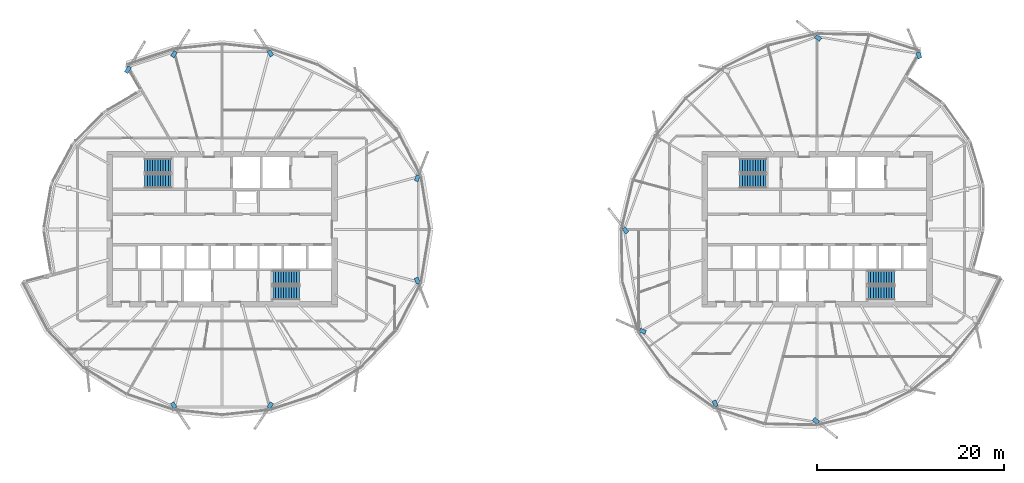
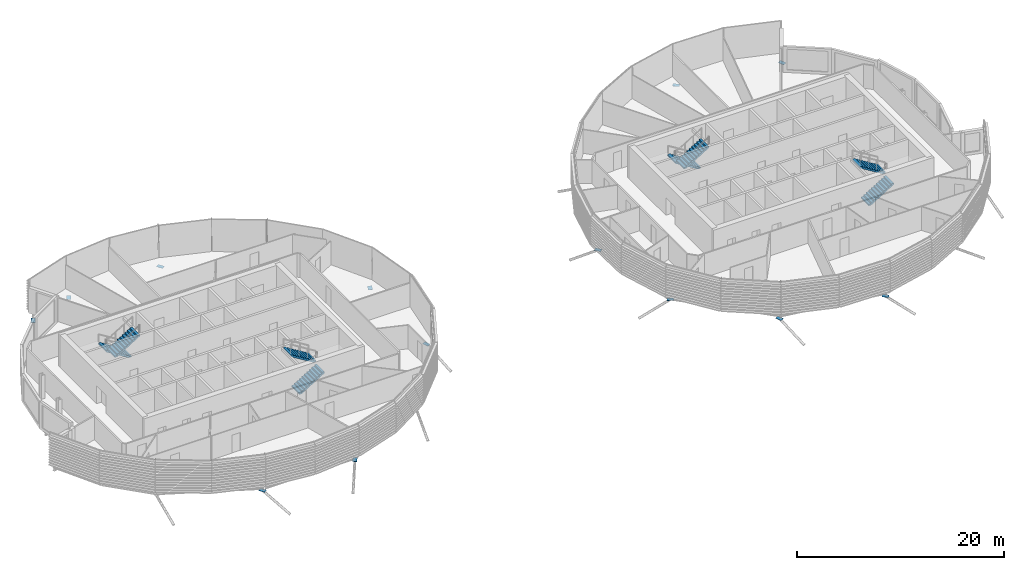
# One storey, part 24 of 37: 13 discrete accessories, 8 stair flights, 4 elements without a shape of their own.
"""IFC4 building model written with IfcOpenShell, lengths in metres."""

from ifc_helpers import new_model, si_unit, direction, frame, origin, origin_2d, place, context, subcontext, project, spatial, polyline, rectangle, outline, extrude, material, material_profile, profile_set, type_object, element, aggregate, save


model = new_model("IFC4")

# Units and contexts
model_context = context("Model", 3, precision=1e-05, world=origin(), true_north=direction((0.0, 1.0)))
body_context = subcontext(model_context, "Body", "Model", "MODEL_VIEW")
ifc_project = project(units=[si_unit("LENGTHUNIT", "METRE"), si_unit("AREAUNIT", "SQUARE_METRE"), si_unit("VOLUMEUNIT", "CUBIC_METRE"), si_unit("PLANEANGLEUNIT", "RADIAN"), si_unit("MASSUNIT", "GRAM", prefix="KILO")], contexts=[model_context])

# Site, building, storey
site_placement = place(None, origin())
site = spatial("IfcSite", under=ifc_project, at=site_placement, CompositionType="ELEMENT")
building_placement = place(site_placement, origin())
building = spatial("IfcBuilding", under=site, at=building_placement, Name="Rimbun Link Towers", CompositionType="ELEMENT")
storey_placement = place(building_placement, frame((0.0, 0.0, 177.89990234375)))
storey = spatial("IfcBuildingStorey", under=building, at=storey_placement, Name="L43", CompositionType="ELEMENT", Elevation=177.89990234375)

# Stair, stair flights
ifc_material_1 = material(Name="Concrete C40/50", Category="concrete")
stair_type = type_object("IfcStairType", Name="Exit stair 3800 rise", PredefinedType="HALF_TURN_STAIR", material=ifc_material_1)
stair_1_placement = place(storey_placement, origin())
stair_1 = element("IfcStair", 1, at=stair_1_placement, inside=storey, type_object=stair_type, Name="L43 EXIT STAIR A", PredefinedType="HALF_TURN_STAIR")
ifc_material_2 = material(Name="Concrete C40/50", Category="concrete")
stair_flight_type = type_object("IfcStairFlightType", Name="Exit stair flight 3800 rise", PredefinedType="STRAIGHT", material=ifc_material_2)
stair_flight_1_placement = place(storey_placement, frame((-37.199951171875, 6.800048828125, 0.0), z_axis=(0.0, 0.0, 1.0), x_axis=(-1.0, 0.0, 0.0)))
stair_flight_1 = element("IfcStairFlight", 2, at=stair_flight_1_placement, type_object=stair_flight_type, Name="ST1 flight 1", NumberOfRisers=11, NumberOfTreads=10, PredefinedType="STRAIGHT", RiserHeight=0.172727273, TreadLength=0.28, context=body_context, shape_type="SweptSolid", body=[
    extrude(outline(polyline([(0.0, 0.0), (0.0, 0.172607421875), (0.280029296875, 0.172607421875), (0.280029296875, 0.345458984375), (0.56005859375, 0.345458984375), (0.56005859375, 0.51806640625), (0.840087890625, 0.51806640625), (0.840087890625, 0.69091796875), (1.1201171875, 0.69091796875), (1.1201171875, 0.863525390625), (1.39990234375, 0.863525390625), (1.39990234375, 1.036376953125), (1.679931640625, 1.036376953125), (1.679931640625, 1.208984375), (1.9599609375, 1.208984375), (1.9599609375, 1.3818359375), (2.239990234375, 1.3818359375), (2.239990234375, 1.554443359375), (2.52001953125, 1.554443359375), (2.52001953125, 1.727294921875), (2.800048828125, 1.727294921875), (2.800048828125, 1.89990234375), (2.800048828125, 1.551025390625), (0.280029296875, 0.0), (0.0, 0.0)])), frame((0.0, 0.75, 0.0), z_axis=(0.0, -1.0, 0.0), x_axis=(1.0, 0.0, 0.0)), (0.0, 0.0, 1.0), 1.5),
])
stair_flight_2_placement = place(storey_placement, frame((-40.0, 5.14990234375, 1.900146484375), z_axis=(0.0, 0.0, 1.0), x_axis=(1.0, 0.0, 0.0)))
stair_flight_2 = element("IfcStairFlight", 3, at=stair_flight_2_placement, type_object=stair_flight_type, Name="ST1 flight 2", NumberOfRisers=11, NumberOfTreads=10, PredefinedType="STRAIGHT", RiserHeight=0.172727273, TreadLength=0.28, context=body_context, shape_type="SweptSolid", body=[
    extrude(outline(polyline([(0.0, 0.0), (0.0, 0.172607421875), (0.280029296875, 0.172607421875), (0.280029296875, 0.345458984375), (0.56005859375, 0.345458984375), (0.56005859375, 0.51806640625), (0.840087890625, 0.51806640625), (0.840087890625, 0.69091796875), (1.1201171875, 0.69091796875), (1.1201171875, 0.863525390625), (1.39990234375, 0.863525390625), (1.39990234375, 1.036376953125), (1.679931640625, 1.036376953125), (1.679931640625, 1.208984375), (1.9599609375, 1.208984375), (1.9599609375, 1.3818359375), (2.239990234375, 1.3818359375), (2.239990234375, 1.554443359375), (2.52001953125, 1.554443359375), (2.52001953125, 1.727294921875), (2.800048828125, 1.727294921875), (2.800048828125, 1.89990234375), (2.800048828125, 1.551025390625), (0.280029296875, 0.0), (0.0, 0.0)])), frame((0.0, 0.75, 0.0), z_axis=(0.0, -1.0, 0.0), x_axis=(1.0, 0.0, 0.0)), (0.0, 0.0, 1.0), 1.5),
])
aggregate(stair_1, [stair_flight_1, stair_flight_2])

stair_2_placement = place(storey_placement, origin())
stair_2 = element("IfcStair", 4, at=stair_2_placement, inside=storey, type_object=stair_type, Name="L43 EXIT STAIR B", PredefinedType="HALF_TURN_STAIR")
stair_flight_3_placement = place(storey_placement, frame((-26.300048828125, -6.800048828125, 0.0), z_axis=(0.0, 0.0, 1.0), x_axis=(1.0, 0.0, 0.0)))
stair_flight_3 = element("IfcStairFlight", 5, at=stair_flight_3_placement, type_object=stair_flight_type, Name="ST2 flight 1", NumberOfRisers=11, NumberOfTreads=10, PredefinedType="STRAIGHT", RiserHeight=0.172727273, TreadLength=0.28, context=body_context, shape_type="SweptSolid", body=[
    extrude(outline(polyline([(0.0, 0.0), (0.0, 0.172607421875), (0.280029296875, 0.172607421875), (0.280029296875, 0.345458984375), (0.56005859375, 0.345458984375), (0.56005859375, 0.51806640625), (0.840087890625, 0.51806640625), (0.840087890625, 0.69091796875), (1.1201171875, 0.69091796875), (1.1201171875, 0.863525390625), (1.39990234375, 0.863525390625), (1.39990234375, 1.036376953125), (1.679931640625, 1.036376953125), (1.679931640625, 1.208984375), (1.9599609375, 1.208984375), (1.9599609375, 1.3818359375), (2.239990234375, 1.3818359375), (2.239990234375, 1.554443359375), (2.52001953125, 1.554443359375), (2.52001953125, 1.727294921875), (2.800048828125, 1.727294921875), (2.800048828125, 1.89990234375), (2.800048828125, 1.551025390625), (0.280029296875, 0.0), (0.0, 0.0)])), frame((0.0, 0.75, 0.0), z_axis=(0.0, -1.0, 0.0), x_axis=(1.0, 0.0, 0.0)), (0.0, 0.0, 1.0), 1.5),
])
stair_flight_4_placement = place(storey_placement, frame((-23.5, -5.14990234375, 1.900146484375), z_axis=(0.0, 0.0, 1.0), x_axis=(-1.0, 0.0, 0.0)))
stair_flight_4 = element("IfcStairFlight", 6, at=stair_flight_4_placement, type_object=stair_flight_type, Name="ST2 flight 2", NumberOfRisers=11, NumberOfTreads=10, PredefinedType="STRAIGHT", RiserHeight=0.172727273, TreadLength=0.28, context=body_context, shape_type="SweptSolid", body=[
    extrude(outline(polyline([(0.0, 0.0), (0.0, 0.172607421875), (0.280029296875, 0.172607421875), (0.280029296875, 0.345458984375), (0.56005859375, 0.345458984375), (0.56005859375, 0.51806640625), (0.840087890625, 0.51806640625), (0.840087890625, 0.69091796875), (1.1201171875, 0.69091796875), (1.1201171875, 0.863525390625), (1.39990234375, 0.863525390625), (1.39990234375, 1.036376953125), (1.679931640625, 1.036376953125), (1.679931640625, 1.208984375), (1.9599609375, 1.208984375), (1.9599609375, 1.3818359375), (2.239990234375, 1.3818359375), (2.239990234375, 1.554443359375), (2.52001953125, 1.554443359375), (2.52001953125, 1.727294921875), (2.800048828125, 1.727294921875), (2.800048828125, 1.89990234375), (2.800048828125, 1.551025390625), (0.280029296875, 0.0), (0.0, 0.0)])), frame((0.0, 0.75, 0.0), z_axis=(0.0, -1.0, 0.0), x_axis=(1.0, 0.0, 0.0)), (0.0, 0.0, 1.0), 1.5),
])
aggregate(stair_2, [stair_flight_3, stair_flight_4])

stair_3_placement = place(storey_placement, origin())
stair_3 = element("IfcStair", 7, at=stair_3_placement, inside=storey, type_object=stair_type, Name="L43 EXIT STAIR A", PredefinedType="HALF_TURN_STAIR")
stair_flight_5_placement = place(storey_placement, frame((26.300048828125, 6.800048828125, 0.0), z_axis=(0.0, 0.0, 1.0), x_axis=(-1.0, 0.0, 0.0)))
stair_flight_5 = element("IfcStairFlight", 8, at=stair_flight_5_placement, type_object=stair_flight_type, Name="ST3 flight 1", NumberOfRisers=11, NumberOfTreads=10, PredefinedType="STRAIGHT", RiserHeight=0.172727273, TreadLength=0.28, context=body_context, shape_type="SweptSolid", body=[
    extrude(outline(polyline([(0.0, 0.0), (0.0, 0.172607421875), (0.280029296875, 0.172607421875), (0.280029296875, 0.345458984375), (0.56005859375, 0.345458984375), (0.56005859375, 0.51806640625), (0.840087890625, 0.51806640625), (0.840087890625, 0.69091796875), (1.1201171875, 0.69091796875), (1.1201171875, 0.863525390625), (1.39990234375, 0.863525390625), (1.39990234375, 1.036376953125), (1.679931640625, 1.036376953125), (1.679931640625, 1.208984375), (1.9599609375, 1.208984375), (1.9599609375, 1.3818359375), (2.239990234375, 1.3818359375), (2.239990234375, 1.554443359375), (2.52001953125, 1.554443359375), (2.52001953125, 1.727294921875), (2.800048828125, 1.727294921875), (2.800048828125, 1.89990234375), (2.800048828125, 1.551025390625), (0.280029296875, 0.0), (0.0, 0.0)])), frame((0.0, 0.75, 0.0), z_axis=(0.0, -1.0, 0.0), x_axis=(1.0, 0.0, 0.0)), (0.0, 0.0, 1.0), 1.5),
])
stair_flight_6_placement = place(storey_placement, frame((23.5, 5.14990234375, 1.900146484375), z_axis=(0.0, 0.0, 1.0), x_axis=(1.0, 0.0, 0.0)))
stair_flight_6 = element("IfcStairFlight", 9, at=stair_flight_6_placement, type_object=stair_flight_type, Name="ST3 flight 2", NumberOfRisers=11, NumberOfTreads=10, PredefinedType="STRAIGHT", RiserHeight=0.172727273, TreadLength=0.28, context=body_context, shape_type="SweptSolid", body=[
    extrude(outline(polyline([(0.0, 0.0), (0.0, 0.172607421875), (0.280029296875, 0.172607421875), (0.280029296875, 0.345458984375), (0.56005859375, 0.345458984375), (0.56005859375, 0.51806640625), (0.840087890625, 0.51806640625), (0.840087890625, 0.69091796875), (1.1201171875, 0.69091796875), (1.1201171875, 0.863525390625), (1.39990234375, 0.863525390625), (1.39990234375, 1.036376953125), (1.679931640625, 1.036376953125), (1.679931640625, 1.208984375), (1.9599609375, 1.208984375), (1.9599609375, 1.3818359375), (2.239990234375, 1.3818359375), (2.239990234375, 1.554443359375), (2.52001953125, 1.554443359375), (2.52001953125, 1.727294921875), (2.800048828125, 1.727294921875), (2.800048828125, 1.89990234375), (2.800048828125, 1.551025390625), (0.280029296875, 0.0), (0.0, 0.0)])), frame((0.0, 0.75, 0.0), z_axis=(0.0, -1.0, 0.0), x_axis=(1.0, 0.0, 0.0)), (0.0, 0.0, 1.0), 1.5),
])
aggregate(stair_3, [stair_flight_5, stair_flight_6])

stair_4_placement = place(storey_placement, origin())
stair_4 = element("IfcStair", 10, at=stair_4_placement, inside=storey, type_object=stair_type, Name="L43 EXIT STAIR B", PredefinedType="HALF_TURN_STAIR")
stair_flight_7_placement = place(storey_placement, frame((37.199951171875, -6.800048828125, 0.0), z_axis=(0.0, 0.0, 1.0), x_axis=(1.0, 0.0, 0.0)))
stair_flight_7 = element("IfcStairFlight", 11, at=stair_flight_7_placement, type_object=stair_flight_type, Name="ST4 flight 1", NumberOfRisers=11, NumberOfTreads=10, PredefinedType="STRAIGHT", RiserHeight=0.172727273, TreadLength=0.28, context=body_context, shape_type="SweptSolid", body=[
    extrude(outline(polyline([(0.0, 0.0), (0.0, 0.172607421875), (0.280029296875, 0.172607421875), (0.280029296875, 0.345458984375), (0.56005859375, 0.345458984375), (0.56005859375, 0.51806640625), (0.840087890625, 0.51806640625), (0.840087890625, 0.69091796875), (1.1201171875, 0.69091796875), (1.1201171875, 0.863525390625), (1.39990234375, 0.863525390625), (1.39990234375, 1.036376953125), (1.679931640625, 1.036376953125), (1.679931640625, 1.208984375), (1.9599609375, 1.208984375), (1.9599609375, 1.3818359375), (2.239990234375, 1.3818359375), (2.239990234375, 1.554443359375), (2.52001953125, 1.554443359375), (2.52001953125, 1.727294921875), (2.800048828125, 1.727294921875), (2.800048828125, 1.89990234375), (2.800048828125, 1.551025390625), (0.280029296875, 0.0), (0.0, 0.0)])), frame((0.0, 0.75, 0.0), z_axis=(0.0, -1.0, 0.0), x_axis=(1.0, 0.0, 0.0)), (0.0, 0.0, 1.0), 1.5),
])
stair_flight_8_placement = place(storey_placement, frame((40.0, -5.14990234375, 1.900146484375), z_axis=(0.0, 0.0, 1.0), x_axis=(-1.0, 0.0, 0.0)))
stair_flight_8 = element("IfcStairFlight", 12, at=stair_flight_8_placement, type_object=stair_flight_type, Name="ST4 flight 2", NumberOfRisers=11, NumberOfTreads=10, PredefinedType="STRAIGHT", RiserHeight=0.172727273, TreadLength=0.28, context=body_context, shape_type="SweptSolid", body=[
    extrude(outline(polyline([(0.0, 0.0), (0.0, 0.172607421875), (0.280029296875, 0.172607421875), (0.280029296875, 0.345458984375), (0.56005859375, 0.345458984375), (0.56005859375, 0.51806640625), (0.840087890625, 0.51806640625), (0.840087890625, 0.69091796875), (1.1201171875, 0.69091796875), (1.1201171875, 0.863525390625), (1.39990234375, 0.863525390625), (1.39990234375, 1.036376953125), (1.679931640625, 1.036376953125), (1.679931640625, 1.208984375), (1.9599609375, 1.208984375), (1.9599609375, 1.3818359375), (2.239990234375, 1.3818359375), (2.239990234375, 1.554443359375), (2.52001953125, 1.554443359375), (2.52001953125, 1.727294921875), (2.800048828125, 1.727294921875), (2.800048828125, 1.89990234375), (2.800048828125, 1.551025390625), (0.280029296875, 0.0), (0.0, 0.0)])), frame((0.0, 0.75, 0.0), z_axis=(0.0, -1.0, 0.0), x_axis=(1.0, 0.0, 0.0)), (0.0, 0.0, 1.0), 1.5),
])
aggregate(stair_4, [stair_flight_7, stair_flight_8])

# Discrete accessories
ifc_material_3 = material(Name="Steel S355J2H", Category="steel")
ifc_material_profile = material_profile(ifc_material_3, rectangle(XDim=0.43310546875, YDim=0.43310546875, at=origin_2d()), Name="PL 433x433")
ifc_profile_set = profile_set([ifc_material_profile], Name="Steel S355J2H")
discrete_accessory_type = type_object("IfcDiscreteAccessoryType", Name="Link head end plate 433X20", PredefinedType="BRACKET", material=ifc_profile_set)
discrete_accessory_1_placement = place(storey_placement, frame((0.0, 0.0, -0.702880859375)))
element("IfcDiscreteAccessory", 13, at=discrete_accessory_1_placement, inside=storey, type_object=discrete_accessory_type, Name="Link head end plate T1 L43 01", PredefinedType="BRACKET", context=body_context, shape_type="SweptSolid", body=[
    extrude(outline(polyline([(-10.83740234375, 5.068359375), (-10.591064453125, 5.689208984375), (-10.99365234375, 5.848876953125), (-11.23974609375, 5.22802734375), (-10.83740234375, 5.068359375)])), origin(), (0.0, 0.0, 1.0), 0.019775390625),
])
discrete_accessory_2_placement = place(storey_placement, frame((0.0, 0.0, -0.7724609375)))
element("IfcDiscreteAccessory", 14, at=discrete_accessory_2_placement, inside=storey, type_object=discrete_accessory_type, Name="Link head end plate T1 L43 05", PredefinedType="BRACKET", context=body_context, shape_type="SweptSolid", body=[
    extrude(outline(polyline([(-26.23388671875, 18.62890625), (-26.603515625, 19.187255859375), (-26.964599609375, 18.9482421875), (-26.5947265625, 18.389892578125), (-26.23388671875, 18.62890625)])), origin(), (0.0, 0.0, 1.0), 0.02001953125),
])
discrete_accessory_3_placement = place(storey_placement, frame((0.0, 0.0, -0.7724609375)))
element("IfcDiscreteAccessory", 15, at=discrete_accessory_3_placement, inside=storey, type_object=discrete_accessory_type, Name="Link head end plate T1 L43 07", PredefinedType="BRACKET", context=body_context, shape_type="SweptSolid", body=[
    extrude(outline(polyline([(-36.874755859375, 18.294921875), (-36.51318359375, 18.86669921875), (-36.87939453125, 19.09814453125), (-37.24072265625, 18.526123046875), (-36.874755859375, 18.294921875)])), origin(), (0.0, 0.0, 1.0), 0.02001953125),
])
discrete_accessory_4_placement = place(storey_placement, frame((0.0, 0.0, -0.7724609375)))
element("IfcDiscreteAccessory", 16, at=discrete_accessory_4_placement, inside=storey, type_object=discrete_accessory_type, Name="Link head end plate T1 L43 08", PredefinedType="BRACKET", context=body_context, shape_type="SweptSolid", body=[
    extrude(outline(polyline([(-41.794921875, 16.60595703125), (-41.407470703125, 17.25341796875), (-41.779052734375, 17.475830078125), (-42.16650390625, 16.828125), (-41.794921875, 16.60595703125)])), origin(), (0.0, 0.0, 1.0), 0.02001953125),
])
discrete_accessory_5_placement = place(storey_placement, frame((0.0, 0.0, -0.7724609375)))
element("IfcDiscreteAccessory", 17, at=discrete_accessory_5_placement, inside=storey, type_object=discrete_accessory_type, Name="Link head end plate T1 L43 17", PredefinedType="BRACKET", context=body_context, shape_type="SweptSolid", body=[
    extrude(outline(polyline([(-37.26611328125, -18.62890625), (-36.896484375, -19.187255859375), (-36.535400390625, -18.9482421875), (-36.9052734375, -18.389892578125), (-37.26611328125, -18.62890625)])), origin(), (0.0, 0.0, 1.0), 0.02001953125),
])
discrete_accessory_6_placement = place(storey_placement, frame((0.0, 0.0, -0.7724609375)))
element("IfcDiscreteAccessory", 18, at=discrete_accessory_6_placement, inside=storey, type_object=discrete_accessory_type, Name="Link head end plate T1 L43 19", PredefinedType="BRACKET", context=body_context, shape_type="SweptSolid", body=[
    extrude(outline(polyline([(-26.5947265625, -18.389892578125), (-26.964599609375, -18.9482421875), (-26.603515625, -19.187255859375), (-26.23388671875, -18.62890625), (-26.5947265625, -18.389892578125)])), origin(), (0.0, 0.0, 1.0), 0.02001953125),
])
discrete_accessory_7_placement = place(storey_placement, frame((0.0, 0.0, -0.702880859375)))
element("IfcDiscreteAccessory", 19, at=discrete_accessory_7_placement, inside=storey, type_object=discrete_accessory_type, Name="Link head end plate T1 L43 23", PredefinedType="BRACKET", context=body_context, shape_type="SweptSolid", body=[
    extrude(outline(polyline([(-11.23974609375, -5.22802734375), (-10.99365234375, -5.848876953125), (-10.591064453125, -5.689208984375), (-10.83740234375, -5.068359375), (-11.23974609375, -5.22802734375)])), origin(), (0.0, 0.0, 1.0), 0.019775390625),
])
discrete_accessory_8_placement = place(storey_placement, frame((0.0, 0.0, -0.853515625)))
element("IfcDiscreteAccessory", 20, at=discrete_accessory_8_placement, inside=storey, type_object=discrete_accessory_type, Name="Link head end plate T2 L43 01", PredefinedType="BRACKET", context=body_context, shape_type="SweptSolid", body=[
    extrude(outline(polyline([(42.95458984375, 18.3564453125), (42.691650390625, 18.982666015625), (42.29248046875, 18.81494140625), (42.55517578125, 18.18896484375), (42.95458984375, 18.3564453125)])), origin(), (0.0, 0.0, 1.0), 0.02001953125),
])
discrete_accessory_9_placement = place(storey_placement, frame((0.0, 0.0, -0.853515625)))
element("IfcDiscreteAccessory", 21, at=discrete_accessory_9_placement, inside=storey, type_object=discrete_accessory_type, Name="Link head end plate T2 L43 03", PredefinedType="BRACKET", context=body_context, shape_type="SweptSolid", body=[
    extrude(outline(polyline([(32.26171875, 20.3955078125), (31.740234375, 20.810546875), (31.470703125, 20.4716796875), (31.9921875, 20.056640625), (32.26171875, 20.3955078125)])), origin(), (0.0, 0.0, 1.0), 0.02001953125),
])
discrete_accessory_10_placement = place(storey_placement, frame((0.0, 0.0, -0.623291015625)))
element("IfcDiscreteAccessory", 22, at=discrete_accessory_10_placement, inside=storey, type_object=discrete_accessory_type, Name="Link head end plate T2 L43 09", PredefinedType="BRACKET", context=body_context, shape_type="SweptSolid", body=[
    extrude(outline(polyline([(11.678955078125, -0.23583984375), (11.281982421875, 0.279296875), (10.939208984375, 0.014892578125), (11.3359375, -0.5), (11.678955078125, -0.23583984375)])), origin(), (0.0, 0.0, 1.0), 0.02001953125),
])
discrete_accessory_11_placement = place(storey_placement, frame((0.0, 0.0, -0.576416015625)))
element("IfcDiscreteAccessory", 23, at=discrete_accessory_11_placement, inside=storey, type_object=discrete_accessory_type, Name="Link head end plate T2 L43 11", PredefinedType="BRACKET", context=body_context, shape_type="SweptSolid", body=[
    extrude(outline(polyline([(13.5419921875, -10.806884765625), (12.939208984375, -10.540283203125), (12.76416015625, -10.936279296875), (13.366943359375, -11.202880859375), (13.5419921875, -10.806884765625)])), origin(), (0.0, 0.0, 1.0), 0.02001953125),
])
discrete_accessory_12_placement = place(storey_placement, frame((0.0, 0.0, -0.853515625)))
element("IfcDiscreteAccessory", 24, at=discrete_accessory_12_placement, inside=storey, type_object=discrete_accessory_type, Name="Link head end plate T2 L43 13", PredefinedType="BRACKET", context=body_context, shape_type="SweptSolid", body=[
    extrude(outline(polyline([(20.54541015625, -18.3564453125), (20.808349609375, -18.982666015625), (21.20751953125, -18.81494140625), (20.94482421875, -18.18896484375), (20.54541015625, -18.3564453125)])), origin(), (0.0, 0.0, 1.0), 0.02001953125),
])
discrete_accessory_13_placement = place(storey_placement, frame((0.0, 0.0, -0.853515625)))
element("IfcDiscreteAccessory", 25, at=discrete_accessory_13_placement, inside=storey, type_object=discrete_accessory_type, Name="Link head end plate T2 L43 15", PredefinedType="BRACKET", context=body_context, shape_type="SweptSolid", body=[
    extrude(outline(polyline([(31.23828125, -20.3955078125), (31.759765625, -20.810546875), (32.029296875, -20.4716796875), (31.5078125, -20.056640625), (31.23828125, -20.3955078125)])), origin(), (0.0, 0.0, 1.0), 0.02001953125),
])

save(model, "model.ifc")
